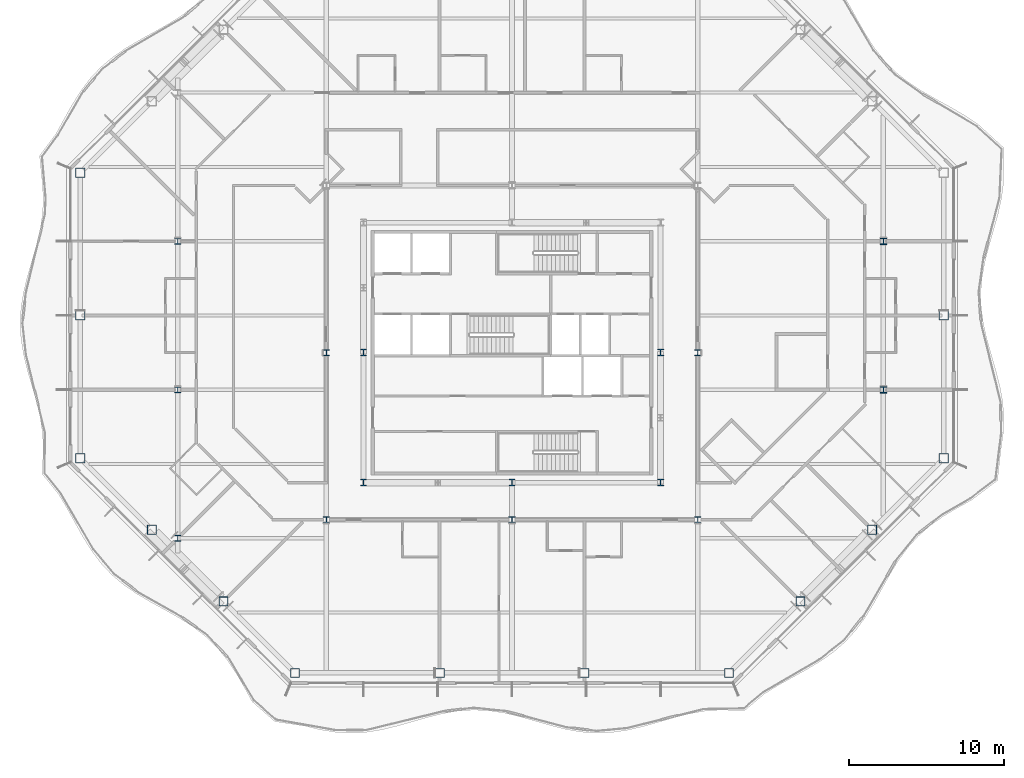
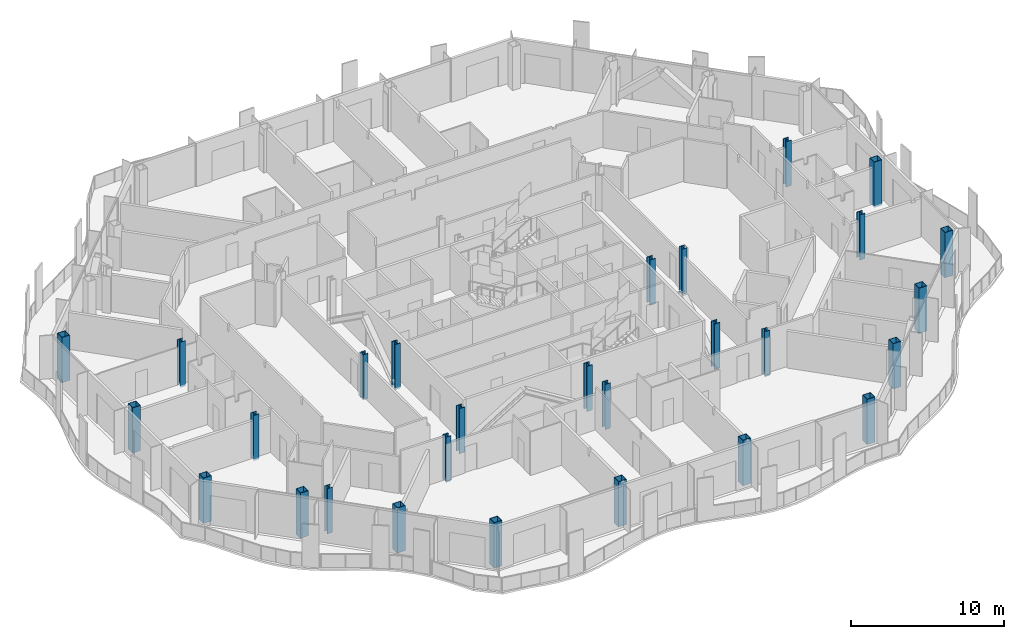
# One storey, part 1 of 21: 28 columns.
"""IFC4 building model written with IfcOpenShell, lengths in metres."""

from ifc_helpers import new_model, si_unit, direction, frame, origin, origin_2d, place, context, subcontext, project, spatial, hollow_rectangle, i_section, extrude, material, material_profile, profile_set, type_object, element, save


model = new_model("IFC4")

# Units and contexts
model_context = context("Model", 3, precision=1e-05, world=origin(), true_north=direction((0.0, 1.0)))
body_context = subcontext(model_context, "Body", "Model", "MODEL_VIEW")
ifc_project = project(units=[si_unit("LENGTHUNIT", "METRE"), si_unit("AREAUNIT", "SQUARE_METRE"), si_unit("VOLUMEUNIT", "CUBIC_METRE"), si_unit("PLANEANGLEUNIT", "RADIAN"), si_unit("MASSUNIT", "GRAM", prefix="KILO")], contexts=[model_context])

# Site, building, storey
site_placement = place(None, origin())
site = spatial("IfcSite", under=ifc_project, at=site_placement, CompositionType="ELEMENT")
building_placement = place(site_placement, origin())
building = spatial("IfcBuilding", under=site, at=building_placement, Name="Cairn Pilgrim Tower", CompositionType="ELEMENT")
storey_placement = place(building_placement, frame((0.0, 0.0, 161.39990234375)))
storey = spatial("IfcBuildingStorey", under=building, at=storey_placement, Name="L40", CompositionType="ELEMENT", Elevation=161.39990234375)

# Columns
ifc_material_1 = material(Name="Structural steel S460M", Category="steel")
ifc_material_profile_1 = material_profile(ifc_material_1, hollow_rectangle(XDim=0.60009765625, YDim=0.60009765625, WallThickness=0.034912109375, at=origin_2d()), Name="BOX 600x600x35")
ifc_profile_set_1 = profile_set([ifc_material_profile_1], Name="Structural steel S460M")
column_type_1 = type_object("IfcColumnType", Name="BOX 600x600x35", PredefinedType="COLUMN", material=ifc_profile_set_1)
for number, where, z_axis, x_axis, name in (
    (1, (-6.8271484375, -18.300048828125, -0.14990234375), (0.0, 0.0, 1.0), (1.0, 0.0, 0.0), "PC2-S1"),
    (2, (2.5244140625, -18.300048828125, -0.14990234375), (0.0, 0.0, 1.0), (1.0, 0.0, 0.0), "PC2-S2"),
    (3, (11.875732421875, -18.300048828125, -0.14990234375), (0.0, 0.0, 1.0), (1.0, 0.0, 0.0), "PC2-S3"),
    (4, (21.227294921875, -18.300048828125, -0.14990234375), (0.0, 0.0, 1.0), (1.0, 0.0, 0.0), "PC2-SE1"),
    (5, (25.8515625, -13.67578125, -0.14990234375), (0.0, 0.0, 1.0), (1.0, 0.0, 0.0), "PC2-SE2"),
    (6, (30.4755859375, -9.051513671875, -0.14990234375), (0.0, 0.0, 1.0), (1.0, 0.0, 0.0), "PC2-SE3"),
    (7, (35.10009765625, -4.42724609375, -0.14990234375), (0.0, 0.0, 1.0), (1.0, 0.0, 0.0), "PC2-E1"),
    (8, (35.10009765625, 4.800048828125, -0.14990234375), (0.0, 0.0, 1.0), (1.0, 0.0, 0.0), "PC2-E2"),
    (9, (-20.699951171875, 14.027099609375, -0.14990234375), (0.0, 0.0, 1.0), (1.0, 0.0, 0.0), "PC2-W1"),
    (10, (-20.699951171875, 4.800048828125, -0.14990234375), (0.0, 0.0, 1.0), (1.0, 0.0, 0.0), "PC2-W2"),
    (11, (-20.699951171875, -4.42724609375, -0.14990234375), (0.0, 0.0, 1.0), (1.0, 0.0, 0.0), "PC2-SW1"),
    (12, (-16.07568359375, -9.051513671875, -0.14990234375), (0.0, 0.0, 1.0), (1.0, 0.0, 0.0), "PC2-SW2"),
    (13, (-11.451416015625, -13.67578125, -0.14990234375), (0.0, 0.0, 1.0), (1.0, 0.0, 0.0), "PC2-SW3"),
):
    element("IfcColumn", number, at=place(storey_placement, frame(where, z_axis=z_axis, x_axis=x_axis)), inside=storey, type_object=column_type_1, Name=name, PredefinedType="COLUMN", context=body_context, shape_type="SweptSolid", body=[
        extrude(hollow_rectangle(XDim=0.60009765625, YDim=0.60009765625, WallThickness=0.034912109375, at=origin_2d()), origin(), (0.0, 0.0, 1.0), 3.60009765625),
    ])
ifc_material_2 = material(Name="Structural steel S355J2", Category="steel")
ifc_material_profile_2 = material_profile(ifc_material_2, i_section(OverallWidth=0.39892578125, OverallDepth=0.39306640625, WebThickness=0.022705078125, FlangeThickness=0.03662109375, FilletRadius=0.014892578125, at=origin_2d()), Name="HD 400x287")
ifc_profile_set_2 = profile_set([ifc_material_profile_2], Name="Structural steel S355J2")
column_type_2 = type_object("IfcColumnType", Name="HD 400x287", PredefinedType="COLUMN", material=ifc_profile_set_2)
for number, where, z_axis, x_axis, name in (
    (14, (-4.800048828125, -8.39990234375, -0.14990234375), (0.0, 0.0, 1.0), (1.0, 0.0, 0.0), "IC-1"),
    (15, (7.199951171875, -8.39990234375, -0.14990234375), (0.0, 0.0, 1.0), (1.0, 0.0, 0.0), "IC-2"),
    (16, (19.199951171875, -8.39990234375, -0.14990234375), (0.0, 0.0, 1.0), (1.0, 0.0, 0.0), "IC-3"),
    (17, (-4.800048828125, 2.39990234375, -0.14990234375), (0.0, 0.0, 1.0), (1.0, 0.0, 0.0), "IC-4"),
    (18, (19.199951171875, 2.39990234375, -0.14990234375), (0.0, 0.0, 1.0), (1.0, 0.0, 0.0), "IC-5"),
    (19, (-14.39990234375, -9.60009765625, -0.14990234375), (0.0, 0.0, 1.0), (1.0, 0.0, 0.0), "WC-WW-2"),
    (20, (-14.39990234375, 0.0, -0.14990234375), (0.0, 0.0, 1.0), (1.0, 0.0, 0.0), "WC-WW+0"),
    (21, (-14.39990234375, 9.60009765625, -0.14990234375), (0.0, 0.0, 1.0), (1.0, 0.0, 0.0), "WC-WW+2"),
):
    element("IfcColumn", number, at=place(storey_placement, frame(where, z_axis=z_axis, x_axis=x_axis)), inside=storey, type_object=column_type_2, Name=name, PredefinedType="COLUMN", context=body_context, shape_type="SweptSolid", body=[
        extrude(i_section(OverallWidth=0.39892578125, OverallDepth=0.39306640625, WebThickness=0.022705078125, FlangeThickness=0.03662109375, FilletRadius=0.014892578125, at=origin_2d()), origin(), (0.0, 0.0, 1.0), 3.60009765625),
    ])
ifc_material_profile_3 = material_profile(ifc_material_1, i_section(OverallWidth=0.408935546875, OverallDepth=0.425048828125, WebThickness=0.03271484375, FlangeThickness=0.052490234375, FilletRadius=0.014892578125, at=origin_2d()), Name="HD 400x421")
ifc_profile_set_3 = profile_set([ifc_material_profile_3], Name="Structural steel S460M")
column_type_3 = type_object("IfcColumnType", Name="HD 400x421", PredefinedType="COLUMN", material=ifc_profile_set_3)
for number, where, z_axis, x_axis, name in (
    (22, (31.199951171875, 0.0, -0.14990234375), (0.0, 0.0, 1.0), (1.0, 0.0, 0.0), "WC-WE+0"),
    (23, (31.199951171875, 9.60009765625, -0.14990234375), (0.0, 0.0, 1.0), (1.0, 0.0, 0.0), "WC-WE+2"),
):
    element("IfcColumn", number, at=place(storey_placement, frame(where, z_axis=z_axis, x_axis=x_axis)), inside=storey, type_object=column_type_3, Name=name, PredefinedType="COLUMN", context=body_context, shape_type="SweptSolid", body=[
        extrude(i_section(OverallWidth=0.408935546875, OverallDepth=0.425048828125, WebThickness=0.03271484375, FlangeThickness=0.052490234375, FilletRadius=0.014892578125, at=origin_2d()), origin(), (0.0, 0.0, 1.0), 3.60009765625),
    ])
ifc_material_profile_4 = material_profile(ifc_material_1, i_section(OverallWidth=0.416015625, OverallDepth=0.446044921875, WebThickness=0.0390625, FlangeThickness=0.062744140625, FilletRadius=0.014892578125, at=origin_2d()), Name="HD 400x509")
ifc_profile_set_4 = profile_set([ifc_material_profile_4], Name="Structural steel S460M")
column_type_4 = type_object("IfcColumnType", Name="HD 400x509", PredefinedType="COLUMN", material=ifc_profile_set_4)
for number, where, z_axis, x_axis, name in (
    (24, (-2.39990234375, -6.0, -0.14990234375), (0.0, 0.0, 1.0), (1.0, 0.0, 0.0), "KC-1"),
    (25, (7.199951171875, -6.0, -0.14990234375), (0.0, 0.0, 1.0), (1.0, 0.0, 0.0), "KC-2"),
    (26, (16.800048828125, -6.0, -0.14990234375), (0.0, 0.0, 1.0), (1.0, 0.0, 0.0), "KC-3"),
    (27, (-2.39990234375, 2.39990234375, -0.14990234375), (0.0, 0.0, 1.0), (1.0, 0.0, 0.0), "KC-4"),
    (28, (16.800048828125, 2.39990234375, -0.14990234375), (0.0, 0.0, 1.0), (1.0, 0.0, 0.0), "KC-5"),
):
    element("IfcColumn", number, at=place(storey_placement, frame(where, z_axis=z_axis, x_axis=x_axis)), inside=storey, type_object=column_type_4, Name=name, PredefinedType="COLUMN", context=body_context, shape_type="SweptSolid", body=[
        extrude(i_section(OverallWidth=0.416015625, OverallDepth=0.446044921875, WebThickness=0.0390625, FlangeThickness=0.062744140625, FilletRadius=0.014892578125, at=origin_2d()), origin(), (0.0, 0.0, 1.0), 3.60009765625),
    ])

save(model, "model.ifc")
